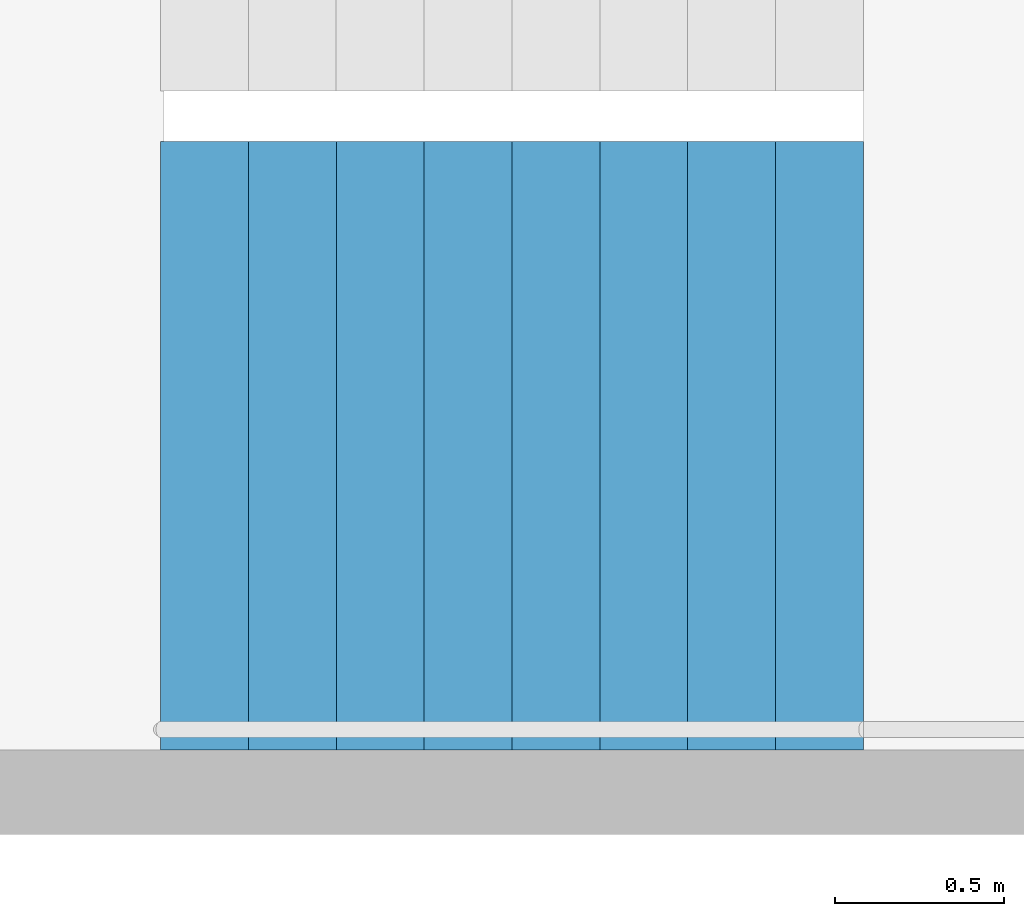
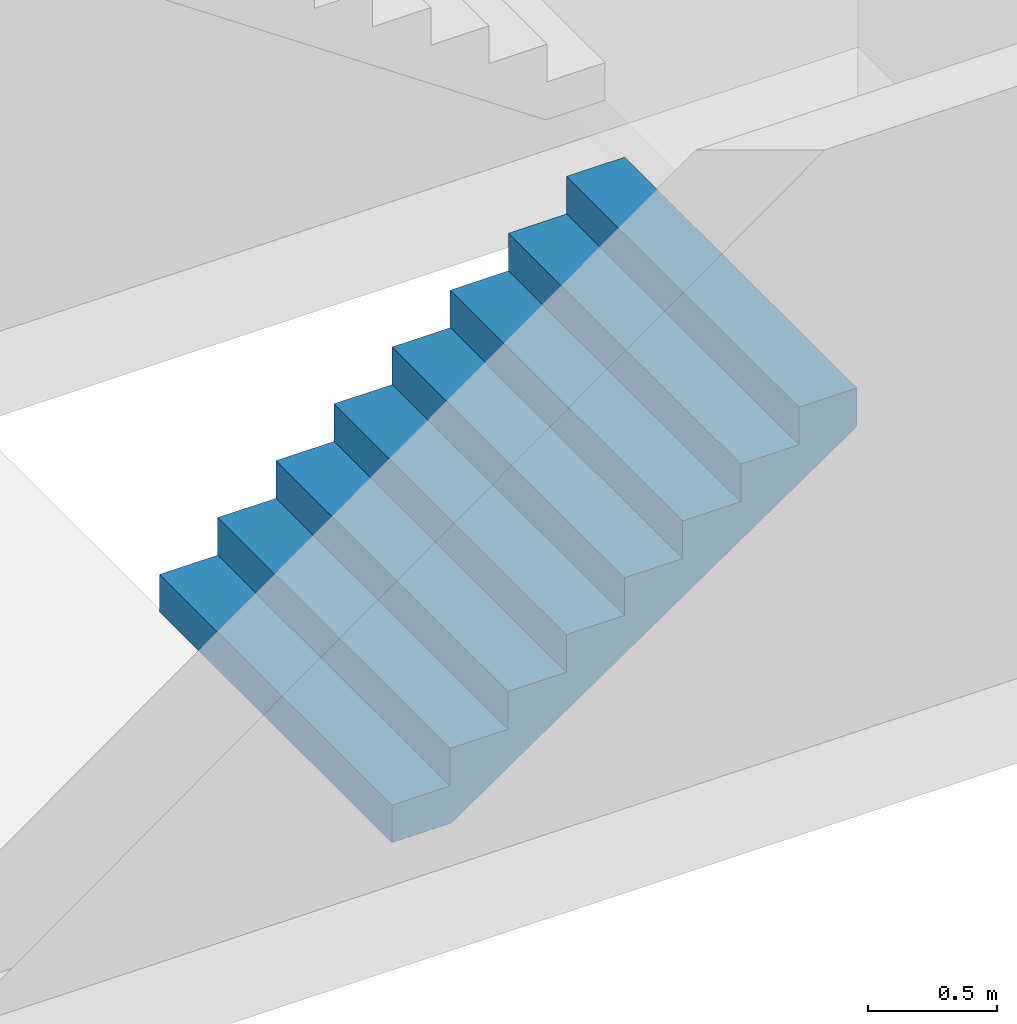
# One storey, part 23 of 36: 1 stair flight, 1 element without a shape of its own.
"""IFC4 building model written with IfcOpenShell, lengths in metres."""

from ifc_helpers import new_model, si_unit, direction, frame, origin, place, context, subcontext, project, spatial, triangles, material, type_object, element, aggregate, save


model = new_model("IFC4")

# Units and contexts
model_context = context("Model", 3, precision=1e-05, world=origin(), true_north=direction((0.0, 1.0)))
body_context = subcontext(model_context, "Body", "Model", "MODEL_VIEW")
ifc_project = project(units=[si_unit("LENGTHUNIT", "METRE"), si_unit("AREAUNIT", "SQUARE_METRE"), si_unit("VOLUMEUNIT", "CUBIC_METRE"), si_unit("PLANEANGLEUNIT", "RADIAN"), si_unit("MASSUNIT", "GRAM", prefix="KILO")], contexts=[model_context])

# Site, building, storey
site_placement = place(None, origin())
site = spatial("IfcSite", under=ifc_project, at=site_placement, CompositionType="ELEMENT")
building_placement = place(site_placement, origin())
building = spatial("IfcBuilding", under=site, at=building_placement, Name="Hakoniwa Tower and Hamabe Station Hall", CompositionType="ELEMENT")
storey_placement = place(building_placement, frame((0.0, 0.0, 26.199951171875)))
storey = spatial("IfcBuildingStorey", under=building, at=storey_placement, Name="L06", CompositionType="ELEMENT", Elevation=26.199951171875)

# Stair, stair flight
ifc_material_1 = material(Name="Concrete C40", Category="concrete")
stair_type = type_object("IfcStairType", Name="ESCAPE STAIR 1800", PredefinedType="HALF_TURN_STAIR", material=ifc_material_1)
stair_placement = place(storey_placement, origin())
stair = element("IfcStair", 1, at=stair_placement, inside=storey, type_object=stair_type, Name="Escape stair ST-1 L06", PredefinedType="HALF_TURN_STAIR")
ifc_material_2 = material(Name="Concrete C40", Category="concrete")
stair_flight_type = type_object("IfcStairFlightType", Name="STAIR FLIGHT 1800", PredefinedType="STRAIGHT", material=ifc_material_2)
stair_flight_placement = place(storey_placement, frame((-24.39990234375, 4.64990234375, 0.0), z_axis=(0.0, 0.0, 1.0), x_axis=(1.0, 0.0, 0.0)))
stair_flight = element("IfcStairFlight", 2, at=stair_flight_placement, type_object=stair_flight_type, Name="ST-1 flight 1", NumberOfRisers=9, NumberOfTreads=8, PredefinedType="STRAIGHT", RiserHeight=0.177777778, TreadLength=0.26, context=body_context, shape_type="Tessellation", body=[
    triangles([(0.0, 0.89990234375, 0.0), (0.260009765625, 0.89990234375, 0.0), (0.265625, 0.89990234375, 0.0), (0.52001953125, 0.89990234375, 0.174072265625), (0.780029296875, 0.89990234375, 0.351806640625), (1.0400390625, 0.89990234375, 0.529541015625), (1.300048828125, 0.89990234375, 0.707275390625), (1.56005859375, 0.89990234375, 0.885009765625), (1.820068359375, 0.89990234375, 1.062744140625), (2.080078125, 0.89990234375, 1.24072265625), (2.080078125, 0.89990234375, 1.422119140625), (1.820068359375, 0.89990234375, 1.422119140625), (1.820068359375, 0.89990234375, 1.244384765625), (1.56005859375, 0.89990234375, 1.244384765625), (1.56005859375, 0.89990234375, 1.066650390625), (1.300048828125, 0.89990234375, 1.066650390625), (1.300048828125, 0.89990234375, 0.888916015625), (1.0400390625, 0.89990234375, 0.888916015625), (1.0400390625, 0.89990234375, 0.711181640625), (0.780029296875, 0.89990234375, 0.711181640625), (0.780029296875, 0.89990234375, 0.533447265625), (0.52001953125, 0.89990234375, 0.533447265625), (0.52001953125, 0.89990234375, 0.35546875), (0.265625, 0.89990234375, 0.35546875), (0.260009765625, 0.89990234375, 0.35546875), (0.260009765625, 0.89990234375, 0.177734375), (0.0, 0.89990234375, 0.177734375), (0.0, 0.06005859375, 0.0), (0.260009765625, 0.06005859375, 0.0), (0.265625, 0.06005859375, 0.0), (0.52001953125, 0.06005859375, 0.174072265625), (0.780029296875, 0.06005859375, 0.351806640625), (1.0400390625, 0.06005859375, 0.529541015625), (1.300048828125, 0.06005859375, 0.707275390625), (1.56005859375, 0.06005859375, 0.885009765625), (1.820068359375, 0.06005859375, 1.062744140625), (2.080078125, 0.06005859375, 1.24072265625), (2.080078125, 0.06005859375, 1.422119140625), (1.820068359375, 0.06005859375, 1.422119140625), (1.820068359375, 0.06005859375, 1.244384765625), (1.56005859375, 0.06005859375, 1.244384765625), (1.56005859375, 0.06005859375, 1.066650390625), (1.300048828125, 0.06005859375, 1.066650390625), (1.300048828125, 0.06005859375, 0.888916015625), (1.0400390625, 0.06005859375, 0.888916015625), (1.0400390625, 0.06005859375, 0.711181640625), (0.780029296875, 0.06005859375, 0.711181640625), (0.780029296875, 0.06005859375, 0.533447265625), (0.52001953125, 0.06005859375, 0.533447265625), (0.52001953125, 0.06005859375, 0.35546875), (0.265625, 0.06005859375, 0.35546875), (0.260009765625, 0.06005859375, 0.35546875), (0.260009765625, 0.06005859375, 0.177734375), (0.0, 0.06005859375, 0.177734375), (0.0, 0.04296875, 0.0), (0.260009765625, 0.04296875, 0.0), (0.265625, 0.04296875, 0.0), (0.52001953125, 0.04296875, 0.174072265625), (0.780029296875, 0.04296875, 0.351806640625), (1.0400390625, 0.04296875, 0.529541015625), (1.300048828125, 0.04296875, 0.707275390625), (1.56005859375, 0.04296875, 0.885009765625), (1.820068359375, 0.04296875, 1.062744140625), (2.080078125, 0.04296875, 1.24072265625), (2.080078125, 0.04296875, 1.422119140625), (1.820068359375, 0.04296875, 1.422119140625), (1.820068359375, 0.04296875, 1.244384765625), (1.56005859375, 0.04296875, 1.244384765625), (1.56005859375, 0.04296875, 1.066650390625), (1.300048828125, 0.04296875, 1.066650390625), (1.300048828125, 0.04296875, 0.888916015625), (1.0400390625, 0.04296875, 0.888916015625), (1.0400390625, 0.04296875, 0.711181640625), (0.780029296875, 0.04296875, 0.711181640625), (0.780029296875, 0.04296875, 0.533447265625), (0.52001953125, 0.04296875, 0.533447265625), (0.52001953125, 0.04296875, 0.35546875), (0.265625, 0.04296875, 0.35546875), (0.260009765625, 0.04296875, 0.35546875), (0.260009765625, 0.04296875, 0.177734375), (0.0, 0.04296875, 0.177734375), (0.0, 0.025634765625, 0.0), (0.260009765625, 0.025634765625, 0.0), (0.265625, 0.025634765625, 0.0), (0.52001953125, 0.025634765625, 0.174072265625), (0.780029296875, 0.025634765625, 0.351806640625), (1.0400390625, 0.025634765625, 0.529541015625), (1.300048828125, 0.025634765625, 0.707275390625), (1.56005859375, 0.025634765625, 0.885009765625), (1.820068359375, 0.025634765625, 1.062744140625), (2.080078125, 0.025634765625, 1.24072265625), (2.080078125, 0.025634765625, 1.422119140625), (1.820068359375, 0.025634765625, 1.422119140625), (1.820068359375, 0.025634765625, 1.244384765625), (1.56005859375, 0.025634765625, 1.244384765625), (1.56005859375, 0.025634765625, 1.066650390625), (1.300048828125, 0.025634765625, 1.066650390625), (1.300048828125, 0.025634765625, 0.888916015625), (1.0400390625, 0.025634765625, 0.888916015625), (1.0400390625, 0.025634765625, 0.711181640625), (0.780029296875, 0.025634765625, 0.711181640625), (0.780029296875, 0.025634765625, 0.533447265625), (0.52001953125, 0.025634765625, 0.533447265625), (0.52001953125, 0.025634765625, 0.35546875), (0.265625, 0.025634765625, 0.35546875), (0.260009765625, 0.025634765625, 0.35546875), (0.260009765625, 0.025634765625, 0.177734375), (0.0, 0.025634765625, 0.177734375), (0.0, 0.008544921875, 0.0), (0.260009765625, 0.008544921875, 0.0), (0.265625, 0.008544921875, 0.0), (0.52001953125, 0.008544921875, 0.174072265625), (0.780029296875, 0.008544921875, 0.351806640625), (1.0400390625, 0.008544921875, 0.529541015625), (1.300048828125, 0.008544921875, 0.707275390625), (1.56005859375, 0.008544921875, 0.885009765625), (1.820068359375, 0.008544921875, 1.062744140625), (2.080078125, 0.008544921875, 1.24072265625), (2.080078125, 0.008544921875, 1.422119140625), (1.820068359375, 0.008544921875, 1.422119140625), (1.820068359375, 0.008544921875, 1.244384765625), (1.56005859375, 0.008544921875, 1.244384765625), (1.56005859375, 0.008544921875, 1.066650390625), (1.300048828125, 0.008544921875, 1.066650390625), (1.300048828125, 0.008544921875, 0.888916015625), (1.0400390625, 0.008544921875, 0.888916015625), (1.0400390625, 0.008544921875, 0.711181640625), (0.780029296875, 0.008544921875, 0.711181640625), (0.780029296875, 0.008544921875, 0.533447265625), (0.52001953125, 0.008544921875, 0.533447265625), (0.52001953125, 0.008544921875, 0.35546875), (0.265625, 0.008544921875, 0.35546875), (0.260009765625, 0.008544921875, 0.35546875), (0.260009765625, 0.008544921875, 0.177734375), (0.0, 0.008544921875, 0.177734375), (0.0, -0.008544921875, 0.0), (0.260009765625, -0.008544921875, 0.0), (0.265625, -0.008544921875, 0.0), (0.52001953125, -0.008544921875, 0.174072265625), (0.780029296875, -0.008544921875, 0.351806640625), (1.0400390625, -0.008544921875, 0.529541015625), (1.300048828125, -0.008544921875, 0.707275390625), (1.56005859375, -0.008544921875, 0.885009765625), (1.820068359375, -0.008544921875, 1.062744140625), (2.080078125, -0.008544921875, 1.24072265625), (2.080078125, -0.008544921875, 1.422119140625), (1.820068359375, -0.008544921875, 1.422119140625), (1.820068359375, -0.008544921875, 1.244384765625), (1.56005859375, -0.008544921875, 1.244384765625), (1.56005859375, -0.008544921875, 1.066650390625), (1.300048828125, -0.008544921875, 1.066650390625), (1.300048828125, -0.008544921875, 0.888916015625), (1.0400390625, -0.008544921875, 0.888916015625), (1.0400390625, -0.008544921875, 0.711181640625), (0.780029296875, -0.008544921875, 0.711181640625), (0.780029296875, -0.008544921875, 0.533447265625), (0.52001953125, -0.008544921875, 0.533447265625), (0.52001953125, -0.008544921875, 0.35546875), (0.265625, -0.008544921875, 0.35546875), (0.260009765625, -0.008544921875, 0.35546875), (0.260009765625, -0.008544921875, 0.177734375), (0.0, -0.008544921875, 0.177734375), (0.0, -0.025634765625, 0.0), (0.260009765625, -0.025634765625, 0.0), (0.265625, -0.025634765625, 0.0), (0.52001953125, -0.025634765625, 0.174072265625), (0.780029296875, -0.025634765625, 0.351806640625), (1.0400390625, -0.025634765625, 0.529541015625), (1.300048828125, -0.025634765625, 0.707275390625), (1.56005859375, -0.025634765625, 0.885009765625), (1.820068359375, -0.025634765625, 1.062744140625), (2.080078125, -0.025634765625, 1.24072265625), (2.080078125, -0.025634765625, 1.422119140625), (1.820068359375, -0.025634765625, 1.422119140625), (1.820068359375, -0.025634765625, 1.244384765625), (1.56005859375, -0.025634765625, 1.244384765625), (1.56005859375, -0.025634765625, 1.066650390625), (1.300048828125, -0.025634765625, 1.066650390625), (1.300048828125, -0.025634765625, 0.888916015625), (1.0400390625, -0.025634765625, 0.888916015625), (1.0400390625, -0.025634765625, 0.711181640625), (0.780029296875, -0.025634765625, 0.711181640625), (0.780029296875, -0.025634765625, 0.533447265625), (0.52001953125, -0.025634765625, 0.533447265625), (0.52001953125, -0.025634765625, 0.35546875), (0.265625, -0.025634765625, 0.35546875), (0.260009765625, -0.025634765625, 0.35546875), (0.260009765625, -0.025634765625, 0.177734375), (0.0, -0.025634765625, 0.177734375), (0.0, -0.04296875, 0.0), (0.260009765625, -0.04296875, 0.0), (0.265625, -0.04296875, 0.0), (0.52001953125, -0.04296875, 0.174072265625), (0.780029296875, -0.04296875, 0.351806640625), (1.0400390625, -0.04296875, 0.529541015625), (1.300048828125, -0.04296875, 0.707275390625), (1.56005859375, -0.04296875, 0.885009765625), (1.820068359375, -0.04296875, 1.062744140625), (2.080078125, -0.04296875, 1.24072265625), (2.080078125, -0.04296875, 1.422119140625), (1.820068359375, -0.04296875, 1.422119140625), (1.820068359375, -0.04296875, 1.244384765625), (1.56005859375, -0.04296875, 1.244384765625), (1.56005859375, -0.04296875, 1.066650390625), (1.300048828125, -0.04296875, 1.066650390625), (1.300048828125, -0.04296875, 0.888916015625), (1.0400390625, -0.04296875, 0.888916015625), (1.0400390625, -0.04296875, 0.711181640625), (0.780029296875, -0.04296875, 0.711181640625), (0.780029296875, -0.04296875, 0.533447265625), (0.52001953125, -0.04296875, 0.533447265625), (0.52001953125, -0.04296875, 0.35546875), (0.265625, -0.04296875, 0.35546875), (0.260009765625, -0.04296875, 0.35546875), (0.260009765625, -0.04296875, 0.177734375), (0.0, -0.04296875, 0.177734375), (0.0, -0.06005859375, 0.0), (0.260009765625, -0.06005859375, 0.0), (0.265625, -0.06005859375, 0.0), (0.52001953125, -0.06005859375, 0.174072265625), (0.780029296875, -0.06005859375, 0.351806640625), (1.0400390625, -0.06005859375, 0.529541015625), (1.300048828125, -0.06005859375, 0.707275390625), (1.56005859375, -0.06005859375, 0.885009765625), (1.820068359375, -0.06005859375, 1.062744140625), (2.080078125, -0.06005859375, 1.24072265625), (2.080078125, -0.06005859375, 1.422119140625), (1.820068359375, -0.06005859375, 1.422119140625), (1.820068359375, -0.06005859375, 1.244384765625), (1.56005859375, -0.06005859375, 1.244384765625), (1.56005859375, -0.06005859375, 1.066650390625), (1.300048828125, -0.06005859375, 1.066650390625), (1.300048828125, -0.06005859375, 0.888916015625), (1.0400390625, -0.06005859375, 0.888916015625), (1.0400390625, -0.06005859375, 0.711181640625), (0.780029296875, -0.06005859375, 0.711181640625), (0.780029296875, -0.06005859375, 0.533447265625), (0.52001953125, -0.06005859375, 0.533447265625), (0.52001953125, -0.06005859375, 0.35546875), (0.265625, -0.06005859375, 0.35546875), (0.260009765625, -0.06005859375, 0.35546875), (0.260009765625, -0.06005859375, 0.177734375), (0.0, -0.06005859375, 0.177734375), (0.0, -0.89990234375, 0.0), (0.260009765625, -0.89990234375, 0.0), (0.265625, -0.89990234375, 0.0), (0.52001953125, -0.89990234375, 0.174072265625), (0.780029296875, -0.89990234375, 0.351806640625), (1.0400390625, -0.89990234375, 0.529541015625), (1.300048828125, -0.89990234375, 0.707275390625), (1.56005859375, -0.89990234375, 0.885009765625), (1.820068359375, -0.89990234375, 1.062744140625), (2.080078125, -0.89990234375, 1.24072265625), (2.080078125, -0.89990234375, 1.422119140625), (1.820068359375, -0.89990234375, 1.422119140625), (1.820068359375, -0.89990234375, 1.244384765625), (1.56005859375, -0.89990234375, 1.244384765625), (1.56005859375, -0.89990234375, 1.066650390625), (1.300048828125, -0.89990234375, 1.066650390625), (1.300048828125, -0.89990234375, 0.888916015625), (1.0400390625, -0.89990234375, 0.888916015625), (1.0400390625, -0.89990234375, 0.711181640625), (0.780029296875, -0.89990234375, 0.711181640625), (0.780029296875, -0.89990234375, 0.533447265625), (0.52001953125, -0.89990234375, 0.533447265625), (0.52001953125, -0.89990234375, 0.35546875), (0.265625, -0.89990234375, 0.35546875), (0.260009765625, -0.89990234375, 0.35546875), (0.260009765625, -0.89990234375, 0.177734375), (0.0, -0.89990234375, 0.177734375)], [[2, 27, 26], [245, 269, 270], [2, 1, 27], [245, 270, 244], [3, 25, 24], [246, 267, 268], [3, 26, 25], [246, 268, 269], [3, 2, 26], [246, 269, 245], [4, 24, 23], [247, 266, 267], [4, 3, 24], [247, 267, 246], [5, 22, 21], [248, 264, 265], [5, 23, 22], [248, 265, 266], [5, 4, 23], [248, 266, 247], [6, 20, 19], [249, 262, 263], [6, 21, 20], [249, 263, 264], [6, 5, 21], [249, 264, 248], [7, 18, 17], [250, 260, 261], [7, 19, 18], [250, 261, 262], [7, 6, 19], [250, 262, 249], [8, 16, 15], [251, 258, 259], [8, 17, 16], [251, 259, 260], [8, 7, 17], [251, 260, 250], [9, 14, 13], [252, 256, 257], [9, 15, 14], [252, 257, 258], [9, 8, 15], [252, 258, 251], [10, 12, 11], [253, 254, 255], [10, 13, 12], [253, 255, 256], [10, 9, 13], [253, 256, 252], [1, 2, 29], [1, 29, 28], [28, 29, 56], [28, 56, 55], [55, 56, 83], [55, 83, 82], [82, 83, 110], [82, 110, 109], [109, 110, 137], [109, 137, 136], [136, 137, 164], [136, 164, 163], [163, 164, 191], [163, 191, 190], [190, 191, 218], [190, 218, 217], [217, 218, 245], [217, 245, 244], [2, 3, 30], [2, 30, 29], [29, 30, 57], [29, 57, 56], [56, 57, 84], [56, 84, 83], [83, 84, 111], [83, 111, 110], [110, 111, 138], [110, 138, 137], [137, 138, 165], [137, 165, 164], [164, 165, 192], [164, 192, 191], [191, 192, 219], [191, 219, 218], [218, 219, 246], [218, 246, 245], [3, 4, 31], [3, 31, 30], [30, 31, 58], [30, 58, 57], [57, 58, 85], [57, 85, 84], [84, 85, 112], [84, 112, 111], [111, 112, 139], [111, 139, 138], [138, 139, 166], [138, 166, 165], [165, 166, 193], [165, 193, 192], [192, 193, 220], [192, 220, 219], [219, 220, 247], [219, 247, 246], [4, 5, 32], [4, 32, 31], [31, 32, 59], [31, 59, 58], [58, 59, 86], [58, 86, 85], [85, 86, 113], [85, 113, 112], [112, 113, 140], [112, 140, 139], [139, 140, 167], [139, 167, 166], [166, 167, 194], [166, 194, 193], [193, 194, 221], [193, 221, 220], [220, 221, 248], [220, 248, 247], [5, 6, 33], [5, 33, 32], [32, 33, 60], [32, 60, 59], [59, 60, 87], [59, 87, 86], [86, 87, 114], [86, 114, 113], [113, 114, 141], [113, 141, 140], [140, 141, 168], [140, 168, 167], [167, 168, 195], [167, 195, 194], [194, 195, 222], [194, 222, 221], [221, 222, 249], [221, 249, 248], [6, 7, 34], [6, 34, 33], [33, 34, 61], [33, 61, 60], [60, 61, 88], [60, 88, 87], [87, 88, 115], [87, 115, 114], [114, 115, 142], [114, 142, 141], [141, 142, 169], [141, 169, 168], [168, 169, 196], [168, 196, 195], [195, 196, 223], [195, 223, 222], [222, 223, 250], [222, 250, 249], [7, 8, 35], [7, 35, 34], [34, 35, 62], [34, 62, 61], [61, 62, 89], [61, 89, 88], [88, 89, 116], [88, 116, 115], [115, 116, 143], [115, 143, 142], [142, 143, 170], [142, 170, 169], [169, 170, 197], [169, 197, 196], [196, 197, 224], [196, 224, 223], [223, 224, 251], [223, 251, 250], [8, 9, 36], [8, 36, 35], [35, 36, 63], [35, 63, 62], [62, 63, 90], [62, 90, 89], [89, 90, 117], [89, 117, 116], [116, 117, 144], [116, 144, 143], [143, 144, 171], [143, 171, 170], [170, 171, 198], [170, 198, 197], [197, 198, 225], [197, 225, 224], [224, 225, 252], [224, 252, 251], [9, 10, 37], [9, 37, 36], [36, 37, 64], [36, 64, 63], [63, 64, 91], [63, 91, 90], [90, 91, 118], [90, 118, 117], [117, 118, 145], [117, 145, 144], [144, 145, 172], [144, 172, 171], [171, 172, 199], [171, 199, 198], [198, 199, 226], [198, 226, 225], [225, 226, 253], [225, 253, 252], [10, 11, 38], [10, 38, 37], [37, 38, 65], [37, 65, 64], [64, 65, 92], [64, 92, 91], [91, 92, 119], [91, 119, 118], [118, 119, 146], [118, 146, 145], [145, 146, 173], [145, 173, 172], [172, 173, 200], [172, 200, 199], [199, 200, 227], [199, 227, 226], [226, 227, 254], [226, 254, 253], [11, 12, 39], [11, 39, 38], [38, 39, 66], [38, 66, 65], [65, 66, 93], [65, 93, 92], [92, 93, 120], [92, 120, 119], [119, 120, 147], [119, 147, 146], [146, 147, 174], [146, 174, 173], [173, 174, 201], [173, 201, 200], [200, 201, 228], [200, 228, 227], [227, 228, 255], [227, 255, 254], [12, 13, 40], [12, 40, 39], [39, 40, 67], [39, 67, 66], [66, 67, 94], [66, 94, 93], [93, 94, 121], [93, 121, 120], [120, 121, 148], [120, 148, 147], [147, 148, 175], [147, 175, 174], [174, 175, 202], [174, 202, 201], [201, 202, 229], [201, 229, 228], [228, 229, 256], [228, 256, 255], [13, 14, 41], [13, 41, 40], [40, 41, 68], [40, 68, 67], [67, 68, 95], [67, 95, 94], [94, 95, 122], [94, 122, 121], [121, 122, 149], [121, 149, 148], [148, 149, 176], [148, 176, 175], [175, 176, 203], [175, 203, 202], [202, 203, 230], [202, 230, 229], [229, 230, 257], [229, 257, 256], [14, 15, 42], [14, 42, 41], [41, 42, 69], [41, 69, 68], [68, 69, 96], [68, 96, 95], [95, 96, 123], [95, 123, 122], [122, 123, 150], [122, 150, 149], [149, 150, 177], [149, 177, 176], [176, 177, 204], [176, 204, 203], [203, 204, 231], [203, 231, 230], [230, 231, 258], [230, 258, 257], [15, 16, 43], [15, 43, 42], [42, 43, 70], [42, 70, 69], [69, 70, 97], [69, 97, 96], [96, 97, 124], [96, 124, 123], [123, 124, 151], [123, 151, 150], [150, 151, 178], [150, 178, 177], [177, 178, 205], [177, 205, 204], [204, 205, 232], [204, 232, 231], [231, 232, 259], [231, 259, 258], [16, 17, 44], [16, 44, 43], [43, 44, 71], [43, 71, 70], [70, 71, 98], [70, 98, 97], [97, 98, 125], [97, 125, 124], [124, 125, 152], [124, 152, 151], [151, 152, 179], [151, 179, 178], [178, 179, 206], [178, 206, 205], [205, 206, 233], [205, 233, 232], [232, 233, 260], [232, 260, 259], [17, 18, 45], [17, 45, 44], [44, 45, 72], [44, 72, 71], [71, 72, 99], [71, 99, 98], [98, 99, 126], [98, 126, 125], [125, 126, 153], [125, 153, 152], [152, 153, 180], [152, 180, 179], [179, 180, 207], [179, 207, 206], [206, 207, 234], [206, 234, 233], [233, 234, 261], [233, 261, 260], [18, 19, 46], [18, 46, 45], [45, 46, 73], [45, 73, 72], [72, 73, 100], [72, 100, 99], [99, 100, 127], [99, 127, 126], [126, 127, 154], [126, 154, 153], [153, 154, 181], [153, 181, 180], [180, 181, 208], [180, 208, 207], [207, 208, 235], [207, 235, 234], [234, 235, 262], [234, 262, 261], [19, 20, 47], [19, 47, 46], [46, 47, 74], [46, 74, 73], [73, 74, 101], [73, 101, 100], [100, 101, 128], [100, 128, 127], [127, 128, 155], [127, 155, 154], [154, 155, 182], [154, 182, 181], [181, 182, 209], [181, 209, 208], [208, 209, 236], [208, 236, 235], [235, 236, 263], [235, 263, 262], [20, 21, 48], [20, 48, 47], [47, 48, 75], [47, 75, 74], [74, 75, 102], [74, 102, 101], [101, 102, 129], [101, 129, 128], [128, 129, 156], [128, 156, 155], [155, 156, 183], [155, 183, 182], [182, 183, 210], [182, 210, 209], [209, 210, 237], [209, 237, 236], [236, 237, 264], [236, 264, 263], [21, 22, 49], [21, 49, 48], [48, 49, 76], [48, 76, 75], [75, 76, 103], [75, 103, 102], [102, 103, 130], [102, 130, 129], [129, 130, 157], [129, 157, 156], [156, 157, 184], [156, 184, 183], [183, 184, 211], [183, 211, 210], [210, 211, 238], [210, 238, 237], [237, 238, 265], [237, 265, 264], [22, 23, 50], [22, 50, 49], [49, 50, 77], [49, 77, 76], [76, 77, 104], [76, 104, 103], [103, 104, 131], [103, 131, 130], [130, 131, 158], [130, 158, 157], [157, 158, 185], [157, 185, 184], [184, 185, 212], [184, 212, 211], [211, 212, 239], [211, 239, 238], [238, 239, 266], [238, 266, 265], [23, 24, 51], [23, 51, 50], [50, 51, 78], [50, 78, 77], [77, 78, 105], [77, 105, 104], [104, 105, 132], [104, 132, 131], [131, 132, 159], [131, 159, 158], [158, 159, 186], [158, 186, 185], [185, 186, 213], [185, 213, 212], [212, 213, 240], [212, 240, 239], [239, 240, 267], [239, 267, 266], [24, 25, 52], [24, 52, 51], [51, 52, 79], [51, 79, 78], [78, 79, 106], [78, 106, 105], [105, 106, 133], [105, 133, 132], [132, 133, 160], [132, 160, 159], [159, 160, 187], [159, 187, 186], [186, 187, 214], [186, 214, 213], [213, 214, 241], [213, 241, 240], [240, 241, 268], [240, 268, 267], [25, 26, 53], [25, 53, 52], [52, 53, 80], [52, 80, 79], [79, 80, 107], [79, 107, 106], [106, 107, 134], [106, 134, 133], [133, 134, 161], [133, 161, 160], [160, 161, 188], [160, 188, 187], [187, 188, 215], [187, 215, 214], [214, 215, 242], [214, 242, 241], [241, 242, 269], [241, 269, 268], [26, 27, 54], [26, 54, 53], [53, 54, 81], [53, 81, 80], [80, 81, 108], [80, 108, 107], [107, 108, 135], [107, 135, 134], [134, 135, 162], [134, 162, 161], [161, 162, 189], [161, 189, 188], [188, 189, 216], [188, 216, 215], [215, 216, 243], [215, 243, 242], [242, 243, 270], [242, 270, 269], [27, 1, 28], [27, 28, 54], [54, 28, 55], [54, 55, 81], [81, 55, 82], [81, 82, 108], [108, 82, 109], [108, 109, 135], [135, 109, 136], [135, 136, 162], [162, 136, 163], [162, 163, 189], [189, 163, 190], [189, 190, 216], [216, 190, 217], [216, 217, 243], [243, 217, 244], [243, 244, 270]], closed=True),
])
aggregate(stair, [stair_flight])

save(model, "model.ifc")
